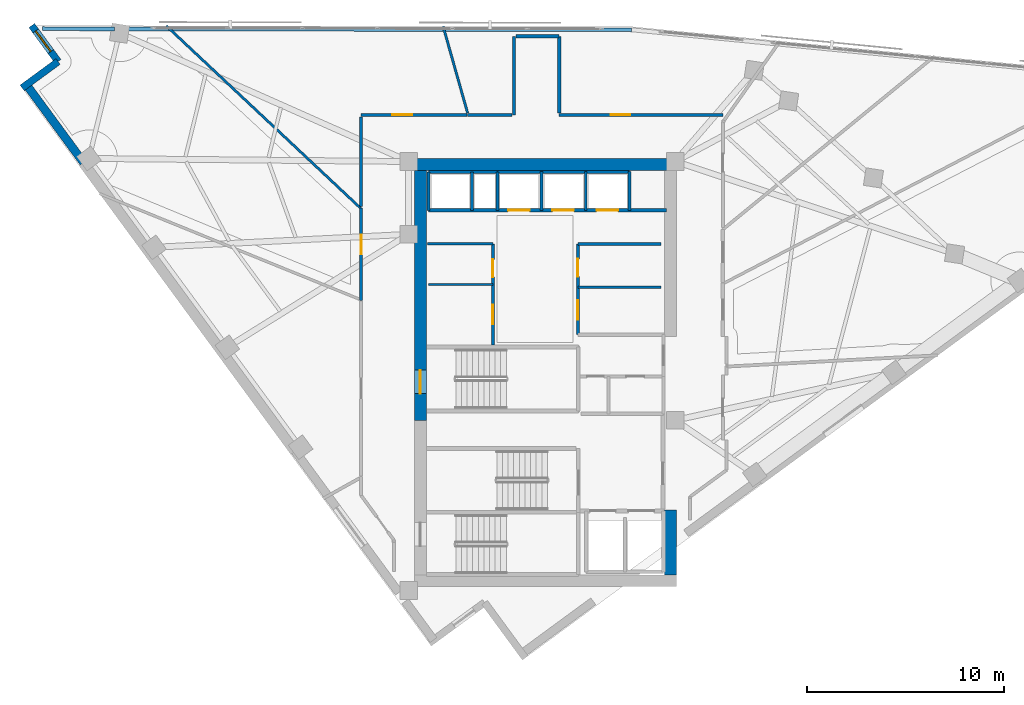
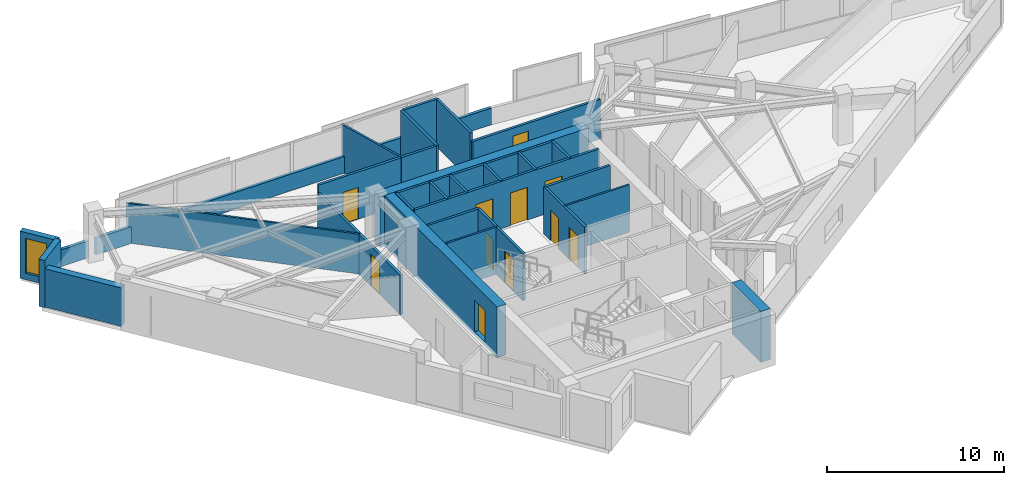
# One storey, part 9 of 13: 33 walls, 11 doors, 1 window, 12 openings.
"""IFC4 building model written with IfcOpenShell, lengths in metres."""

from ifc_helpers import new_model, si_unit, direction, frame, frame_2d, origin, place, context, subcontext, project, spatial, rectangle, extrude, material, layer, layer_set, type_object, element, fill, save


model = new_model("IFC4")

# Units and contexts
model_context = context("Model", 3, precision=1e-05, world=origin(), true_north=direction((0.0, 1.0)))
body_context = subcontext(model_context, "Body", "Model", "MODEL_VIEW")
ifc_project = project(units=[si_unit("LENGTHUNIT", "METRE"), si_unit("AREAUNIT", "SQUARE_METRE"), si_unit("VOLUMEUNIT", "CUBIC_METRE"), si_unit("PLANEANGLEUNIT", "RADIAN"), si_unit("MASSUNIT", "GRAM", prefix="KILO")], contexts=[model_context])

# Site, building, storey
site_placement = place(None, origin())
site = spatial("IfcSite", under=ifc_project, at=site_placement, CompositionType="ELEMENT")
building_placement = place(site_placement, origin())
building = spatial("IfcBuilding", under=site, at=building_placement, Name="Narakoshi Arena Tower", CompositionType="ELEMENT")
storey_placement = place(building_placement, frame((0.0, 0.0, 246.659912109375)))
storey = spatial("IfcBuildingStorey", under=building, at=storey_placement, Name="L67", CompositionType="ELEMENT", Elevation=246.659912109375)

# Wall
ifc_material_1 = material(Name="Concrete C50/60", Category="concrete")
ifc_layer_1 = layer(ifc_material_1, 0.60009765625)
ifc_layer_set_1 = layer_set([ifc_layer_1], Name="Concrete C50/60")
wall_type_1 = type_object("IfcWallType", Name="WL-CORE-600", PredefinedType="SHEAR", material=ifc_layer_set_1)
wall_1_placement = place(storey_placement, frame((85.300048828125, 35.5, -0.260009765625), z_axis=(0.0, 0.0, 1.0), x_axis=(0.0, 1.0, 0.0)))
element("IfcWall", 1, at=wall_1_placement, inside=storey, type_object=wall_type_1, Name="L67 Central Core Shear Wall CW-APX-E", PredefinedType="SHEAR", context=body_context, shape_type="SweptSolid", body=[
    extrude(rectangle(XDim=3.300048828125, YDim=0.60009765625, at=frame_2d((1.64990234375, 0.0))), origin(), (0.0, 0.0, 1.0), 3.52001953125),
])

# Wall, opening, door
wall_2_placement = place(storey_placement, frame((72.60009765625, 43.35009765625, -0.260009765625), z_axis=(0.0, 0.0, 1.0), x_axis=(0.0, 1.0, 0.0)))
wall_2 = element("IfcWall", 2, at=wall_2_placement, inside=storey, type_object=wall_type_1, Name="L67 Main Core Shear Wall CW-MN-W", PredefinedType="SHEAR", context=body_context, shape_type="SweptSolid", body=[
    extrude(rectangle(XDim=12.699951171875, YDim=0.60009765625, at=frame_2d((6.35009765625, 0.0))), origin(), (0.0, 0.0, 1.0), 3.52001953125),
])
opening_1_placement = place(wall_2_placement, frame((1.35009765625, 0.0, 0.260009765625)))
opening_1 = element("IfcOpeningElement", 3, at=opening_1_placement, cuts=wall_2, Name="Opening D-03", PredefinedType="OPENING", context=body_context, shape_type="SweptSolid", body=[
    extrude(rectangle(XDim=1.199951171875, YDim=2.199951171875, at=frame_2d((0.60009765625, 1.10009765625))), frame((0.0, 0.31005859375, 0.0), z_axis=(0.0, -1.0, 0.0), x_axis=(1.0, 0.0, 0.0)), (0.0, 0.0, 1.0), 0.6201171875),
])
ifc_material_2 = material(Name="Painted galvanized steel", Category="steel")
door_type_1 = type_object("IfcDoorType", Name="DR-STR-1200", OperationType="NOTDEFINED", PredefinedType="USERDEFINED", material=ifc_material_2)
door_1_placement = place(opening_1_placement, frame((1.199951171875, 0.0, 0.0), z_axis=(0.0, 0.0, 1.0), x_axis=(-1.0, 0.0, 0.0)))
door_1 = element("IfcDoor", 4, at=door_1_placement, inside=storey, type_object=door_type_1, Name="DR-L67-006", ObjectType="EXITDOOR", OperationType="SINGLE_SWING_LEFT", OverallHeight=2.199951171875, OverallWidth=1.199951171875, PredefinedType="USERDEFINED", context=body_context, shape_type="SweptSolid", body=[
    extrude(rectangle(XDim=1.199951171875, YDim=2.199951171875, at=frame_2d((0.60009765625, 1.10009765625))), frame((0.0, 0.02490234375, 0.0), z_axis=(0.0, -1.0, 0.0), x_axis=(1.0, 0.0, 0.0)), (0.0, 0.0, 1.0), 0.050048828125),
])
fill(opening_1, door_1)

# Wall
wall_3_placement = place(storey_placement, frame((72.0, 56.35009765625, -0.260009765625), z_axis=(0.0, 0.0, 1.0), x_axis=(1.0, 0.0, 0.0)))
element("IfcWall", 5, at=wall_3_placement, inside=storey, type_object=wall_type_1, Name="L67 Main Core Shear Wall CW-MN-N", PredefinedType="SHEAR", context=body_context, shape_type="SweptSolid", body=[
    extrude(rectangle(XDim=13.60009765625, YDim=0.60009765625, at=frame_2d((6.800048828125, 0.0))), origin(), (0.0, 0.0, 1.0), 3.52001953125),
])

# Wall, opening, door
ifc_material_3 = material(Name="Gypsum plasterboard fire-rated partition")
ifc_layer_2 = layer(ifc_material_3, 0.1650390625)
ifc_layer_set_2 = layer_set([ifc_layer_2], Name="Gypsum plasterboard fire-rated partition")
wall_type_2 = type_object("IfcWallType", Name="WL-CORR-165", PredefinedType="PARTITIONING", material=ifc_layer_set_2)
wall_4_placement = place(storey_placement, frame((87.966796875, 58.86669921875, 0.0), z_axis=(0.0, 0.0, 1.0), x_axis=(-1.0, 0.0, 0.0)))
wall_4 = element("IfcWall", 6, at=wall_4_placement, inside=storey, type_object=wall_type_2, Name="L67 Corridor Partition 06-1", PredefinedType="PARTITIONING", context=body_context, shape_type="SweptSolid", body=[
    extrude(rectangle(XDim=8.31689453125, YDim=0.1650390625, at=frame_2d((4.158447265625, 0.0))), origin(), (0.0, 0.0, 1.0), 2.7451171875),
])
opening_2_placement = place(wall_4_placement, frame((4.69580078125, 0.0, 0.0)))
opening_2 = element("IfcOpeningElement", 7, at=opening_2_placement, cuts=wall_4, Name="Opening D-06", PredefinedType="OPENING", context=body_context, shape_type="SweptSolid", body=[
    extrude(rectangle(XDim=1.0, YDim=2.199951171875, at=frame_2d((0.5, 1.10009765625))), frame((0.0, 0.092529296875, 0.0), z_axis=(0.0, -1.0, 0.0), x_axis=(1.0, 0.0, 0.0)), (0.0, 0.0, 1.0), 0.18505859375),
])
ifc_material_4 = material(Name="Stained oak solid-core timber", Category="wood")
door_type_2 = type_object("IfcDoorType", Name="DR-OFF-1000", OperationType="NOTDEFINED", PredefinedType="DOOR", material=ifc_material_4)
door_2_placement = place(opening_2_placement, frame((1.0, 0.0, 0.0), z_axis=(0.0, 0.0, 1.0), x_axis=(-1.0, 0.0, 0.0)))
door_2 = element("IfcDoor", 8, at=door_2_placement, inside=storey, type_object=door_type_2, Name="DR-L67-022", OperationType="SINGLE_SWING_RIGHT", OverallHeight=2.199951171875, OverallWidth=1.0, PredefinedType="DOOR", context=body_context, shape_type="SweptSolid", body=[
    extrude(rectangle(XDim=1.0, YDim=2.199951171875, at=frame_2d((0.5, 1.10009765625))), frame((0.0, 0.02490234375, 0.0), z_axis=(0.0, -1.0, 0.0), x_axis=(1.0, 0.0, 0.0)), (0.0, 0.0, 1.0), 0.050048828125),
])
fill(opening_2, door_2)

# Walls
wall_5_placement = place(storey_placement, frame((77.35009765625, 62.8642578125, 0.0), z_axis=(0.0, 0.0, 1.0), x_axis=(0.0, -1.0, 0.0)))
element("IfcWall", 9, at=wall_5_placement, inside=storey, type_object=wall_type_2, Name="L67 Corridor Partition 06-2", PredefinedType="PARTITIONING", context=body_context, shape_type="SweptSolid", body=[
    extrude(rectangle(XDim=3.99755859375, YDim=0.1650390625, at=frame_2d((1.998779296875, 0.0))), origin(), (0.0, 0.0, 1.0), 3.260009765625),
])
wall_6_placement = place(storey_placement, frame((79.64990234375, 58.961181640625, 0.0), z_axis=(0.0, 0.0, 1.0), x_axis=(0.0, 1.0, 0.0)))
element("IfcWall", 10, at=wall_6_placement, inside=storey, type_object=wall_type_2, Name="L67 Corridor Partition 06-3", PredefinedType="PARTITIONING", context=body_context, shape_type="SweptSolid", body=[
    extrude(rectangle(XDim=3.89892578125, YDim=0.1650390625, at=frame_2d((1.949462890625, 0.0))), origin(), (0.0, 0.0, 1.0), 3.260009765625),
])
wall_7_placement = place(storey_placement, frame((77.255615234375, 58.86669921875, 0.0), z_axis=(0.0, 0.0, 1.0), x_axis=(-1.0, 0.0, 0.0)))
element("IfcWall", 11, at=wall_7_placement, inside=storey, type_object=wall_type_2, Name="L67 Corridor Partition 06-4", PredefinedType="PARTITIONING", context=body_context, shape_type="SweptSolid", body=[
    extrude(rectangle(XDim=2.26708984375, YDim=0.1650390625, at=frame_2d((1.133544921875, 0.0))), origin(), (0.0, 0.0, 1.0), 3.260009765625),
])
wall_8_placement = place(storey_placement, frame((79.64990234375, 62.860107421875, 0.0), z_axis=(0.0, 0.0, 1.0), x_axis=(-0.999998431282, 0.001771280295, 0.0)))
element("IfcWall", 12, at=wall_8_placement, inside=storey, type_object=wall_type_2, Name="L67 Corridor Partition 06-5", PredefinedType="PARTITIONING", context=body_context, shape_type="SweptSolid", body=[
    extrude(rectangle(XDim=2.205322265625, YDim=0.1650390625, at=frame_2d((1.1025390625, 0.0))), origin(), (0.0, 0.0, 1.0), 3.260009765625),
])

# Wall, opening, door
wall_9_placement = place(storey_placement, frame((69.583251953125, 54.131591796875, 0.0), z_axis=(0.0, 0.0, 1.0), x_axis=(0.0, -1.0, 0.0)))
wall_9 = element("IfcWall", 13, at=wall_9_placement, inside=storey, type_object=wall_type_2, Name="L67 Corridor Partition 07-1", PredefinedType="PARTITIONING", context=body_context, shape_type="SweptSolid", body=[
    extrude(rectangle(XDim=4.7021484375, YDim=0.1650390625, at=frame_2d((2.35107421875, 0.0))), origin(), (0.0, 0.0, 1.0), 2.7451171875),
])
opening_3_placement = place(wall_9_placement, frame((1.355712890625, 0.0, 0.0)))
opening_3 = element("IfcOpeningElement", 14, at=opening_3_placement, cuts=wall_9, Name="Opening D-06", PredefinedType="OPENING", context=body_context, shape_type="SweptSolid", body=[
    extrude(rectangle(XDim=1.0, YDim=2.199951171875, at=frame_2d((0.5, 1.10009765625))), frame((0.0, 0.092529296875, 0.0), z_axis=(0.0, -1.0, 0.0), x_axis=(1.0, 0.0, 0.0)), (0.0, 0.0, 1.0), 0.18505859375),
])
door_3_placement = place(opening_3_placement, frame((1.0, 0.0, 0.0), z_axis=(0.0, 0.0, 1.0), x_axis=(-1.0, 0.0, 0.0)))
door_3 = element("IfcDoor", 15, at=door_3_placement, inside=storey, type_object=door_type_2, Name="DR-L67-023", OperationType="SINGLE_SWING_LEFT", OverallHeight=2.199951171875, OverallWidth=1.0, PredefinedType="DOOR", context=body_context, shape_type="SweptSolid", body=[
    extrude(rectangle(XDim=1.0, YDim=2.199951171875, at=frame_2d((0.5, 1.10009765625))), frame((0.0, 0.02490234375, 0.0), z_axis=(0.0, -1.0, 0.0), x_axis=(1.0, 0.0, 0.0)), (0.0, 0.0, 1.0), 0.050048828125),
])
fill(opening_3, door_3)

wall_10_placement = place(storey_placement, frame((74.963623046875, 58.86669921875, 0.0), z_axis=(0.0, 0.0, 1.0), x_axis=(-1.0, 0.0, 0.0)))
wall_10 = element("IfcWall", 16, at=wall_10_placement, inside=storey, type_object=wall_type_2, Name="L67 Corridor Partition 08-1", PredefinedType="PARTITIONING", context=body_context, shape_type="SweptSolid", body=[
    extrude(rectangle(XDim=5.38037109375, YDim=0.1650390625, at=frame_2d((2.690185546875, 0.0))), origin(), (0.0, 0.0, 1.0), 3.260009765625),
])
opening_4_placement = place(wall_10_placement, frame((2.787353515625, 0.0, 0.0)))
opening_4 = element("IfcOpeningElement", 17, at=opening_4_placement, cuts=wall_10, Name="Opening D-06", PredefinedType="OPENING", context=body_context, shape_type="SweptSolid", body=[
    extrude(rectangle(XDim=1.0, YDim=2.199951171875, at=frame_2d((0.5, 1.10009765625))), frame((0.0, 0.092529296875, 0.0), z_axis=(0.0, -1.0, 0.0), x_axis=(1.0, 0.0, 0.0)), (0.0, 0.0, 1.0), 0.18505859375),
])
door_4_placement = place(opening_4_placement, frame((1.0, 0.0, 0.0), z_axis=(0.0, 0.0, 1.0), x_axis=(-1.0, 0.0, 0.0)))
door_4 = element("IfcDoor", 18, at=door_4_placement, inside=storey, type_object=door_type_2, Name="DR-L67-024", OperationType="SINGLE_SWING_RIGHT", OverallHeight=2.199951171875, OverallWidth=1.0, PredefinedType="DOOR", context=body_context, shape_type="SweptSolid", body=[
    extrude(rectangle(XDim=1.0, YDim=2.199951171875, at=frame_2d((0.5, 1.10009765625))), frame((0.0, 0.02490234375, 0.0), z_axis=(0.0, -1.0, 0.0), x_axis=(1.0, 0.0, 0.0)), (0.0, 0.0, 1.0), 0.050048828125),
])
fill(opening_4, door_4)

# Walls
wall_11_placement = place(storey_placement, frame((69.583251953125, 58.772216796875, 0.0), z_axis=(0.0, 0.0, 1.0), x_axis=(0.0, -1.0, 0.0)))
element("IfcWall", 19, at=wall_11_placement, inside=storey, type_object=wall_type_2, Name="L67 Corridor Partition 08-2", PredefinedType="PARTITIONING", context=body_context, shape_type="SweptSolid", body=[
    extrude(rectangle(XDim=4.565673828125, YDim=0.1650390625, at=frame_2d((2.28271484375, 0.0))), origin(), (0.0, 0.0, 1.0), 2.7451171875),
])
ifc_material_5 = material(Name="Precast concrete C45/55", Category="concrete")
ifc_layer_3 = layer(ifc_material_5, 0.25)
ifc_layer_set_3 = layer_set([ifc_layer_3], Name="Precast concrete C45/55")
wall_type_3 = type_object("IfcWallType", Name="WL-PARA-250", PredefinedType="PARAPET", material=ifc_layer_set_3)
wall_12_placement = place(storey_placement, frame((83.332275390625, 63.193359375, 0.0), z_axis=(0.0, 0.0, 1.0), x_axis=(-0.999998363757, 0.001809000383, 0.0)))
element("IfcWall", 20, at=wall_12_placement, inside=storey, type_object=wall_type_3, Name="L67 Hypotenuse Sill Upstand Parapet 2-01", PredefinedType="PARAPET", context=body_context, shape_type="SweptSolid", body=[
    extrude(rectangle(XDim=25.777099609375, YDim=0.199951171875, at=frame_2d((12.888671875, 0.0))), origin(), (0.0, 0.0, 1.0), 1.150146484375),
])
wall_13_placement = place(storey_placement, frame((57.064208984375, 63.240966796875, 0.0), z_axis=(0.0, 0.0, 1.0), x_axis=(-0.999998274159, 0.001857869529, 0.0)))
element("IfcWall", 21, at=wall_13_placement, inside=storey, type_object=wall_type_3, Name="L67 Hypotenuse Sill Upstand Parapet 2-02", PredefinedType="PARAPET", context=body_context, shape_type="SweptSolid", body=[
    extrude(rectangle(XDim=3.679443359375, YDim=0.199951171875, at=frame_2d((1.83984375, 0.0))), origin(), (0.0, 0.0, 1.0), 1.150146484375),
])
ifc_layer_4 = layer(ifc_material_3, 0.125)
ifc_layer_set_4 = layer_set([ifc_layer_4], Name="Gypsum plasterboard fire-rated partition")
wall_type_4 = type_object("IfcWallType", Name="WL-PART-125", PredefinedType="PARTITIONING", material=ifc_layer_set_4)
wall_14_placement = place(storey_placement, frame((73.0, 50.25, 0.0), z_axis=(0.0, 0.0, 1.0), x_axis=(1.0, 0.0, 0.0)))
element("IfcWall", 22, at=wall_14_placement, inside=storey, type_object=wall_type_4, Name="L67 Core Wall RCL-LR-D2", PredefinedType="PARTITIONING", context=body_context, shape_type="SweptSolid", body=[
    extrude(rectangle(XDim=3.280029296875, YDim=0.125, at=frame_2d((1.64013671875, 0.0))), origin(), (0.0, 0.0, 1.0), 3.260009765625),
])
wall_15_placement = place(storey_placement, frame((80.60009765625, 50.10009765625, 0.0), z_axis=(0.0, 0.0, 1.0), x_axis=(1.0, 0.0, 0.0)))
element("IfcWall", 23, at=wall_15_placement, inside=storey, type_object=wall_type_4, Name="L67 Core Wall RCL-MR-D", PredefinedType="PARTITIONING", context=body_context, shape_type="SweptSolid", body=[
    extrude(rectangle(XDim=4.219970703125, YDim=0.125, at=frame_2d((2.10986328125, 0.0))), origin(), (0.0, 0.0, 1.0), 3.260009765625),
])
wall_16_placement = place(storey_placement, frame((74.996826171875, 58.961181640625, 0.0), z_axis=(0.0, 0.0, 1.0), x_axis=(-0.271848665767, 0.962340014195, 0.0)))
element("IfcWall", 24, at=wall_16_placement, inside=storey, type_object=wall_type_4, Name="L67 Inter-Room Partition 06-08", PredefinedType="PARTITIONING", context=body_context, shape_type="SweptSolid", body=[
    extrude(rectangle(XDim=4.58203125, YDim=0.125, at=frame_2d((2.291015625, 0.0))), origin(), (0.0, 0.0, 1.0), 3.260009765625),
])
wall_17_placement = place(storey_placement, frame((59.680419921875, 63.396240234375, 0.0), z_axis=(0.0, 0.0, 1.0), x_axis=(0.729243049034, -0.684254759161, 0.0)))
element("IfcWall", 25, at=wall_17_placement, inside=storey, type_object=wall_type_4, Name="L67 Inter-Room Partition 07-08", PredefinedType="PARTITIONING", context=body_context, shape_type="SweptSolid", body=[
    extrude(rectangle(XDim=13.539794921875, YDim=0.125, at=frame_2d((6.77001953125, 0.0))), origin(), (0.0, 0.0, 1.0), 2.7451171875),
])
ifc_layer_5 = layer(ifc_material_5, 0.419921875)
ifc_layer_set_5 = layer_set([ifc_layer_5], Name="Precast concrete C45/55")
wall_type_5 = type_object("IfcWallType", Name="WL-POD-420", PredefinedType="SOLIDWALL", material=ifc_layer_set_5)
wall_18_placement = place(storey_placement, frame((52.578857421875, 60.400390625, 0.0), z_axis=(0.0, 0.0, 1.0), x_axis=(0.591311800505, -0.806443026248, 0.0)))
element("IfcWall", 26, at=wall_18_placement, inside=storey, type_object=wall_type_5, Name="L67 Architectural Concrete Facade Wall LEGB-1", PredefinedType="SOLIDWALL", context=body_context, shape_type="SweptSolid", body=[
    extrude(rectangle(XDim=4.89794921875, YDim=0.419921875, at=frame_2d((2.448974609375, 0.0))), origin(), (0.0, 0.0, 1.0), 2.64501953125),
])

# Wall, opening, window
wall_19_placement = place(storey_placement, frame((52.84521484375, 63.40869140625, 0.0), z_axis=(0.0, 0.0, 1.0), x_axis=(0.591251685745, -0.806487101015, 0.0)))
wall_19 = element("IfcWall", 27, at=wall_19_placement, inside=storey, type_object=wall_type_5, Name="L67 Re-Entrant Corner Notch Wall NTN-1", PredefinedType="SOLIDWALL", context=body_context, shape_type="SweptSolid", body=[
    extrude(rectangle(XDim=2.2685546875, YDim=0.360107421875, at=frame_2d((1.13427734375, 0.0))), origin(), (0.0, 0.0, 1.0), 3.260009765625),
])
opening_5_placement = place(wall_19_placement, frame((0.340087890625, 0.0, 0.449951171875)))
opening_5 = element("IfcOpeningElement", 28, at=opening_5_placement, cuts=wall_19, Name="Opening WN-06", PredefinedType="OPENING", context=body_context, shape_type="SweptSolid", body=[
    extrude(rectangle(XDim=1.300048828125, YDim=2.39990234375, at=frame_2d((0.64990234375, 1.199951171875))), frame((0.0, 0.18994140625, 0.0), z_axis=(0.0, -1.0, 0.0), x_axis=(1.0, 0.0, 0.0)), (0.0, 0.0, 1.0), 0.380126953125),
])
ifc_material_6 = material(Name="Bronze-tinted low-E laminated glass", Category="glass")
window_type = type_object("IfcWindowType", Name="WIN-NTC-16x24", PartitioningType="SINGLE_PANEL", PredefinedType="WINDOW", material=ifc_material_6)
window_placement = place(opening_5_placement, origin())
window = element("IfcWindow", 29, at=window_placement, inside=storey, type_object=window_type, Name="L67 Corner Notch Window NTN", OverallHeight=2.39990234375, OverallWidth=1.300048828125, PartitioningType="SINGLE_PANEL", PredefinedType="WINDOW", context=body_context, shape_type="SweptSolid", body=[
    extrude(rectangle(XDim=1.300048828125, YDim=2.39990234375, at=frame_2d((0.64990234375, 1.199951171875))), frame((0.0, 0.030029296875, 0.0), z_axis=(0.0, -1.0, 0.0), x_axis=(1.0, 0.0, 0.0)), (0.0, 0.0, 1.0), 0.06005859375),
])
fill(opening_5, window)

# Walls
wall_20_placement = place(storey_placement, frame((54.1865234375, 61.5791015625, 0.0), z_axis=(0.0, 0.0, 1.0), x_axis=(-0.806449475274, -0.591303005092, 0.0)))
element("IfcWall", 30, at=wall_20_placement, inside=storey, type_object=wall_type_5, Name="L67 Re-Entrant Corner Notch Wall NTN-2", PredefinedType="SOLIDWALL", context=body_context, shape_type="SweptSolid", body=[
    extrude(rectangle(XDim=2.268310546875, YDim=0.360107421875, at=frame_2d((1.13427734375, 0.0))), origin(), (0.0, 0.0, 1.0), 3.260009765625),
])
ifc_material_7 = material(Name="Concrete C40/50", Category="concrete")
ifc_layer_6 = layer(ifc_material_7, 0.280029296875)
ifc_layer_set_6 = layer_set([ifc_layer_6], Name="Concrete C40/50")
wall_type_6 = type_object("IfcWallType", Name="WL-RISER-280", PredefinedType="PLUMBINGWALL", material=ifc_layer_set_6)
for number, where, z_axis, x_axis, name in (
    (31, (73.02001953125, 54.02001953125, 0.0), (0.0, 0.0, 1.0), (0.0, 1.0, 0.0), "L67 Core Wall OBS-W"),
    (32, (75.219970703125, 54.02001953125, 0.0), (0.0, 0.0, 1.0), (0.0, 1.0, 0.0), "L67 Core Wall OBS-M"),
):
    element("IfcWall", number, at=place(storey_placement, frame(where, z_axis=z_axis, x_axis=x_axis)), inside=storey, type_object=wall_type_6, Name=name, PredefinedType="PLUMBINGWALL", context=body_context, shape_type="SweptSolid", body=[
        extrude(rectangle(XDim=1.93994140625, YDim=0.14990234375, at=frame_2d((0.969970703125, 0.0))), origin(), (0.0, 0.0, 1.0), 3.260009765625),
    ])
for number, where, z_axis, x_axis, name in (
    (33, (78.75, 54.02001953125, 0.0), (0.0, 0.0, 1.0), (0.0, 1.0, 0.0), "L67 Core Wall HR-D1"),
    (34, (81.0, 54.02001953125, 0.0), (0.0, 0.0, 1.0), (0.0, 1.0, 0.0), "L67 Core Wall HR-D2"),
):
    element("IfcWall", number, at=place(storey_placement, frame(where, z_axis=z_axis, x_axis=x_axis)), inside=storey, type_object=wall_type_6, Name=name, PredefinedType="PLUMBINGWALL", context=body_context, shape_type="SweptSolid", body=[
        extrude(rectangle(XDim=1.9599609375, YDim=0.14990234375, at=frame_2d((0.97998046875, 0.0))), origin(), (0.0, 0.0, 1.0), 3.260009765625),
    ])

# Wall, openings, doors
ifc_layer_7 = layer(ifc_material_1, 0.35009765625)
ifc_layer_set_7 = layer_set([ifc_layer_7], Name="Concrete C50/60")
wall_type_7 = type_object("IfcWallType", Name="WL-SHAFT-350", PredefinedType="SOLIDWALL", material=ifc_layer_set_7)
wall_21_placement = place(storey_placement, frame((76.280029296875, 47.179931640625, 0.0), z_axis=(0.0, 0.0, 1.0), x_axis=(0.0, 1.0, 0.0)))
wall_21 = element("IfcWall", 35, at=wall_21_placement, inside=storey, type_object=wall_type_7, Name="L67 Core Wall LR-E", PredefinedType="SOLIDWALL", context=body_context, shape_type="SweptSolid", body=[
    extrude(rectangle(XDim=5.14013671875, YDim=0.159912109375, at=frame_2d((2.570068359375, 0.0))), origin(), (0.0, 0.0, 1.0), 3.260009765625),
])
opening_6_placement = place(wall_21_placement, frame((1.050048828125, 0.0, 0.0)))
opening_6 = element("IfcOpeningElement", 36, at=opening_6_placement, cuts=wall_21, Name="Opening D-06", PredefinedType="OPENING", context=body_context, shape_type="SweptSolid", body=[
    extrude(rectangle(XDim=1.0, YDim=2.199951171875, at=frame_2d((0.5, 1.10009765625))), frame((0.0, 0.08984375, 0.0), z_axis=(0.0, -1.0, 0.0), x_axis=(1.0, 0.0, 0.0)), (0.0, 0.0, 1.0), 0.179931640625),
])
opening_7_placement = place(wall_21_placement, frame((3.449951171875, 0.0, 0.0)))
opening_7 = element("IfcOpeningElement", 37, at=opening_7_placement, cuts=wall_21, Name="Opening D-08", PredefinedType="OPENING", context=body_context, shape_type="SweptSolid", body=[
    extrude(rectangle(XDim=0.89990234375, YDim=2.10009765625, at=frame_2d((0.449951171875, 1.050048828125))), frame((0.0, 0.08984375, 0.0), z_axis=(0.0, -1.0, 0.0), x_axis=(1.0, 0.0, 0.0)), (0.0, 0.0, 1.0), 0.179931640625),
])
door_5_placement = place(opening_6_placement, frame((1.0, 0.0, 0.0), z_axis=(0.0, 0.0, 1.0), x_axis=(-1.0, 0.0, 0.0)))
door_5 = element("IfcDoor", 38, at=door_5_placement, inside=storey, type_object=door_type_2, Name="DR-L67-010", OperationType="SINGLE_SWING_RIGHT", OverallHeight=2.199951171875, OverallWidth=1.0, PredefinedType="DOOR", context=body_context, shape_type="SweptSolid", body=[
    extrude(rectangle(XDim=1.0, YDim=2.199951171875, at=frame_2d((0.5, 1.10009765625))), frame((0.0, 0.02490234375, 0.0), z_axis=(0.0, -1.0, 0.0), x_axis=(1.0, 0.0, 0.0)), (0.0, 0.0, 1.0), 0.050048828125),
])
fill(opening_6, door_5)
ifc_material_8 = material(Name="Moisture-resistant laminate timber", Category="wood")
door_type_3 = type_object("IfcDoorType", Name="DR-WC-900", OperationType="NOTDEFINED", PredefinedType="DOOR", material=ifc_material_8)
door_6_placement = place(opening_7_placement, frame((0.89990234375, 0.0, 0.0), z_axis=(0.0, 0.0, 1.0), x_axis=(-1.0, 0.0, 0.0)))
door_6 = element("IfcDoor", 39, at=door_6_placement, inside=storey, type_object=door_type_3, Name="DR-L67-011", OperationType="SINGLE_SWING_LEFT", OverallHeight=2.10009765625, OverallWidth=0.89990234375, PredefinedType="DOOR", context=body_context, shape_type="SweptSolid", body=[
    extrude(rectangle(XDim=0.89990234375, YDim=2.10009765625, at=frame_2d((0.449951171875, 1.050048828125))), frame((0.0, 0.02490234375, 0.0), z_axis=(0.0, -1.0, 0.0), x_axis=(1.0, 0.0, 0.0)), (0.0, 0.0, 1.0), 0.050048828125),
])
fill(opening_7, door_6)

# Wall
wall_22_placement = place(storey_placement, frame((72.949951171875, 52.320068359375, 0.0), z_axis=(0.0, 0.0, 1.0), x_axis=(1.0, 0.0, 0.0)))
element("IfcWall", 40, at=wall_22_placement, inside=storey, type_object=wall_type_7, Name="L67 Core Wall LR-N", PredefinedType="SOLIDWALL", context=body_context, shape_type="SweptSolid", body=[
    extrude(rectangle(XDim=3.330078125, YDim=0.14990234375, at=frame_2d((1.6650390625, 0.0))), origin(), (0.0, 0.0, 1.0), 3.260009765625),
])

# Wall, openings, doors
wall_23_placement = place(storey_placement, frame((80.60009765625, 47.699951171875, 0.0), z_axis=(0.0, 0.0, 1.0), x_axis=(0.0, 1.0, 0.0)))
wall_23 = element("IfcWall", 41, at=wall_23_placement, inside=storey, type_object=wall_type_7, Name="L67 Core Wall MR-W", PredefinedType="SOLIDWALL", context=body_context, shape_type="SweptSolid", body=[
    extrude(rectangle(XDim=4.60009765625, YDim=0.159912109375, at=frame_2d((2.300048828125, 0.0))), origin(), (0.0, 0.0, 1.0), 3.260009765625),
])
opening_8_placement = place(wall_23_placement, frame((0.75, 0.0, 0.0)))
opening_8 = element("IfcOpeningElement", 42, at=opening_8_placement, cuts=wall_23, Name="Opening D-06", PredefinedType="OPENING", context=body_context, shape_type="SweptSolid", body=[
    extrude(rectangle(XDim=1.0, YDim=2.199951171875, at=frame_2d((0.5, 1.10009765625))), frame((0.0, 0.08984375, 0.0), z_axis=(0.0, -1.0, 0.0), x_axis=(1.0, 0.0, 0.0)), (0.0, 0.0, 1.0), 0.179931640625),
])
opening_9_placement = place(wall_23_placement, frame((2.949951171875, 0.0, 0.0)))
opening_9 = element("IfcOpeningElement", 43, at=opening_9_placement, cuts=wall_23, Name="Opening D-08", PredefinedType="OPENING", context=body_context, shape_type="SweptSolid", body=[
    extrude(rectangle(XDim=0.89990234375, YDim=2.10009765625, at=frame_2d((0.449951171875, 1.050048828125))), frame((0.0, 0.08984375, 0.0), z_axis=(0.0, -1.0, 0.0), x_axis=(1.0, 0.0, 0.0)), (0.0, 0.0, 1.0), 0.179931640625),
])
door_7_placement = place(opening_8_placement, origin())
door_7 = element("IfcDoor", 44, at=door_7_placement, inside=storey, type_object=door_type_2, Name="DR-L67-012", OperationType="SINGLE_SWING_RIGHT", OverallHeight=2.199951171875, OverallWidth=1.0, PredefinedType="DOOR", context=body_context, shape_type="SweptSolid", body=[
    extrude(rectangle(XDim=1.0, YDim=2.199951171875, at=frame_2d((0.5, 1.10009765625))), frame((0.0, 0.02490234375, 0.0), z_axis=(0.0, -1.0, 0.0), x_axis=(1.0, 0.0, 0.0)), (0.0, 0.0, 1.0), 0.050048828125),
])
fill(opening_8, door_7)
door_8_placement = place(opening_9_placement, origin())
door_8 = element("IfcDoor", 45, at=door_8_placement, inside=storey, type_object=door_type_3, Name="DR-L67-013", OperationType="SINGLE_SWING_LEFT", OverallHeight=2.10009765625, OverallWidth=0.89990234375, PredefinedType="DOOR", context=body_context, shape_type="SweptSolid", body=[
    extrude(rectangle(XDim=0.89990234375, YDim=2.10009765625, at=frame_2d((0.449951171875, 1.050048828125))), frame((0.0, 0.02490234375, 0.0), z_axis=(0.0, -1.0, 0.0), x_axis=(1.0, 0.0, 0.0)), (0.0, 0.0, 1.0), 0.050048828125),
])
fill(opening_9, door_8)

# Wall
wall_24_placement = place(storey_placement, frame((80.60009765625, 52.300048828125, 0.0), z_axis=(0.0, 0.0, 1.0), x_axis=(1.0, 0.0, 0.0)))
element("IfcWall", 46, at=wall_24_placement, inside=storey, type_object=wall_type_7, Name="L67 Core Wall MR-N", PredefinedType="SOLIDWALL", context=body_context, shape_type="SweptSolid", body=[
    extrude(rectangle(XDim=4.219970703125, YDim=0.159912109375, at=frame_2d((2.10986328125, 0.0))), origin(), (0.0, 0.0, 1.0), 3.260009765625),
])

# Wall, openings, doors
wall_25_placement = place(storey_placement, frame((73.02001953125, 54.02001953125, 0.0), z_axis=(0.0, 0.0, 1.0), x_axis=(1.0, 0.0, 0.0)))
wall_25 = element("IfcWall", 47, at=wall_25_placement, inside=storey, type_object=wall_type_7, Name="L67 Core Wall NSHF-S", PredefinedType="SOLIDWALL", context=body_context, shape_type="SweptSolid", body=[
    extrude(rectangle(XDim=12.080078125, YDim=0.159912109375, at=frame_2d((6.0400390625, 0.0))), origin(), (0.0, 0.0, 1.0), 3.260009765625),
])
opening_10_placement = place(wall_25_placement, frame((4.030029296875, 0.0, 0.0)))
opening_10 = element("IfcOpeningElement", 48, at=opening_10_placement, cuts=wall_25, Name="Opening LD-01", PredefinedType="OPENING", context=body_context, shape_type="SweptSolid", body=[
    extrude(rectangle(XDim=1.10009765625, YDim=2.25, at=frame_2d((0.550048828125, 1.125))), frame((0.0, 0.08984375, 0.0), z_axis=(0.0, -1.0, 0.0), x_axis=(1.0, 0.0, 0.0)), (0.0, 0.0, 1.0), 0.179931640625),
])
opening_11_placement = place(wall_25_placement, frame((6.280029296875, 0.0, 0.0)))
opening_11 = element("IfcOpeningElement", 49, at=opening_11_placement, cuts=wall_25, Name="Opening LD-01", PredefinedType="OPENING", context=body_context, shape_type="SweptSolid", body=[
    extrude(rectangle(XDim=1.10009765625, YDim=2.25, at=frame_2d((0.550048828125, 1.125))), frame((0.0, 0.08984375, 0.0), z_axis=(0.0, -1.0, 0.0), x_axis=(1.0, 0.0, 0.0)), (0.0, 0.0, 1.0), 0.179931640625),
])
opening_12_placement = place(wall_25_placement, frame((8.530029296875, 0.0, 0.0)))
opening_12 = element("IfcOpeningElement", 50, at=opening_12_placement, cuts=wall_25, Name="Opening LD-01", PredefinedType="OPENING", context=body_context, shape_type="SweptSolid", body=[
    extrude(rectangle(XDim=1.10009765625, YDim=2.25, at=frame_2d((0.550048828125, 1.125))), frame((0.0, 0.08984375, 0.0), z_axis=(0.0, -1.0, 0.0), x_axis=(1.0, 0.0, 0.0)), (0.0, 0.0, 1.0), 0.179931640625),
])
ifc_material_9 = material(Name="Brushed bronze stainless steel", Category="steel")
door_type_4 = type_object("IfcDoorType", Name="DR-LFT-1100", OperationType="DOUBLE_DOOR_SLIDING", PredefinedType="DOOR", material=ifc_material_9)
door_9_placement = place(opening_10_placement, origin())
door_9 = element("IfcDoor", 51, at=door_9_placement, inside=storey, type_object=door_type_4, Name="DR-L67-014", OperationType="DOUBLE_DOOR_SLIDING", OverallHeight=2.25, OverallWidth=1.10009765625, PredefinedType="DOOR", context=body_context, shape_type="SweptSolid", body=[
    extrude(rectangle(XDim=1.10009765625, YDim=2.25, at=frame_2d((0.550048828125, 1.125))), frame((0.0, 0.02490234375, 0.0), z_axis=(0.0, -1.0, 0.0), x_axis=(1.0, 0.0, 0.0)), (0.0, 0.0, 1.0), 0.050048828125),
])
fill(opening_10, door_9)
door_10_placement = place(opening_11_placement, origin())
door_10 = element("IfcDoor", 52, at=door_10_placement, inside=storey, type_object=door_type_4, Name="DR-L67-015", OperationType="DOUBLE_DOOR_SLIDING", OverallHeight=2.25, OverallWidth=1.10009765625, PredefinedType="DOOR", context=body_context, shape_type="SweptSolid", body=[
    extrude(rectangle(XDim=1.10009765625, YDim=2.25, at=frame_2d((0.550048828125, 1.125))), frame((0.0, 0.02490234375, 0.0), z_axis=(0.0, -1.0, 0.0), x_axis=(1.0, 0.0, 0.0)), (0.0, 0.0, 1.0), 0.050048828125),
])
fill(opening_11, door_10)
door_11_placement = place(opening_12_placement, origin())
door_11 = element("IfcDoor", 53, at=door_11_placement, inside=storey, type_object=door_type_4, Name="DR-L67-016", OperationType="DOUBLE_DOOR_SLIDING", OverallHeight=2.25, OverallWidth=1.10009765625, PredefinedType="DOOR", context=body_context, shape_type="SweptSolid", body=[
    extrude(rectangle(XDim=1.10009765625, YDim=2.25, at=frame_2d((0.550048828125, 1.125))), frame((0.0, 0.02490234375, 0.0), z_axis=(0.0, -1.0, 0.0), x_axis=(1.0, 0.0, 0.0)), (0.0, 0.0, 1.0), 0.050048828125),
])
fill(opening_12, door_11)

# Walls
wall_26_placement = place(storey_placement, frame((73.02001953125, 55.9599609375, 0.0), z_axis=(0.0, 0.0, 1.0), x_axis=(1.0, 0.0, 0.0)))
element("IfcWall", 54, at=wall_26_placement, inside=storey, type_object=wall_type_7, Name="L67 Core Wall OBS-N", PredefinedType="SOLIDWALL", context=body_context, shape_type="SweptSolid", body=[
    extrude(rectangle(XDim=3.5, YDim=0.14990234375, at=frame_2d((1.75, 0.0))), origin(), (0.0, 0.0, 1.0), 3.260009765625),
])
wall_27_placement = place(storey_placement, frame((76.52001953125, 54.02001953125, 0.0), z_axis=(0.0, 0.0, 1.0), x_axis=(0.0, 1.0, 0.0)))
element("IfcWall", 55, at=wall_27_placement, inside=storey, type_object=wall_type_7, Name="L67 Core Wall OBS-E", PredefinedType="SOLIDWALL", context=body_context, shape_type="SweptSolid", body=[
    extrude(rectangle(XDim=1.93994140625, YDim=0.14990234375, at=frame_2d((0.969970703125, 0.0))), origin(), (0.0, 0.0, 1.0), 3.260009765625),
])
wall_28_placement = place(storey_placement, frame((83.219970703125, 54.02001953125, 0.0), z_axis=(0.0, 0.0, 1.0), x_axis=(0.0, 1.0, 0.0)))
element("IfcWall", 56, at=wall_28_placement, inside=storey, type_object=wall_type_7, Name="L67 Core Wall HR-E", PredefinedType="SOLIDWALL", context=body_context, shape_type="SweptSolid", body=[
    extrude(rectangle(XDim=1.9599609375, YDim=0.14990234375, at=frame_2d((0.97998046875, 0.0))), origin(), (0.0, 0.0, 1.0), 3.260009765625),
])
wall_29_placement = place(storey_placement, frame((76.52001953125, 55.9599609375, 0.0), z_axis=(0.0, 0.0, 1.0), x_axis=(1.0, 0.0, 0.0)))
element("IfcWall", 57, at=wall_29_placement, inside=storey, type_object=wall_type_7, Name="L67 Core Wall HR-N", PredefinedType="SOLIDWALL", context=body_context, shape_type="SweptSolid", body=[
    extrude(rectangle(XDim=6.699951171875, YDim=0.14990234375, at=frame_2d((3.35009765625, 0.0))), origin(), (0.0, 0.0, 1.0), 3.260009765625),
])

save(model, "model.ifc")
